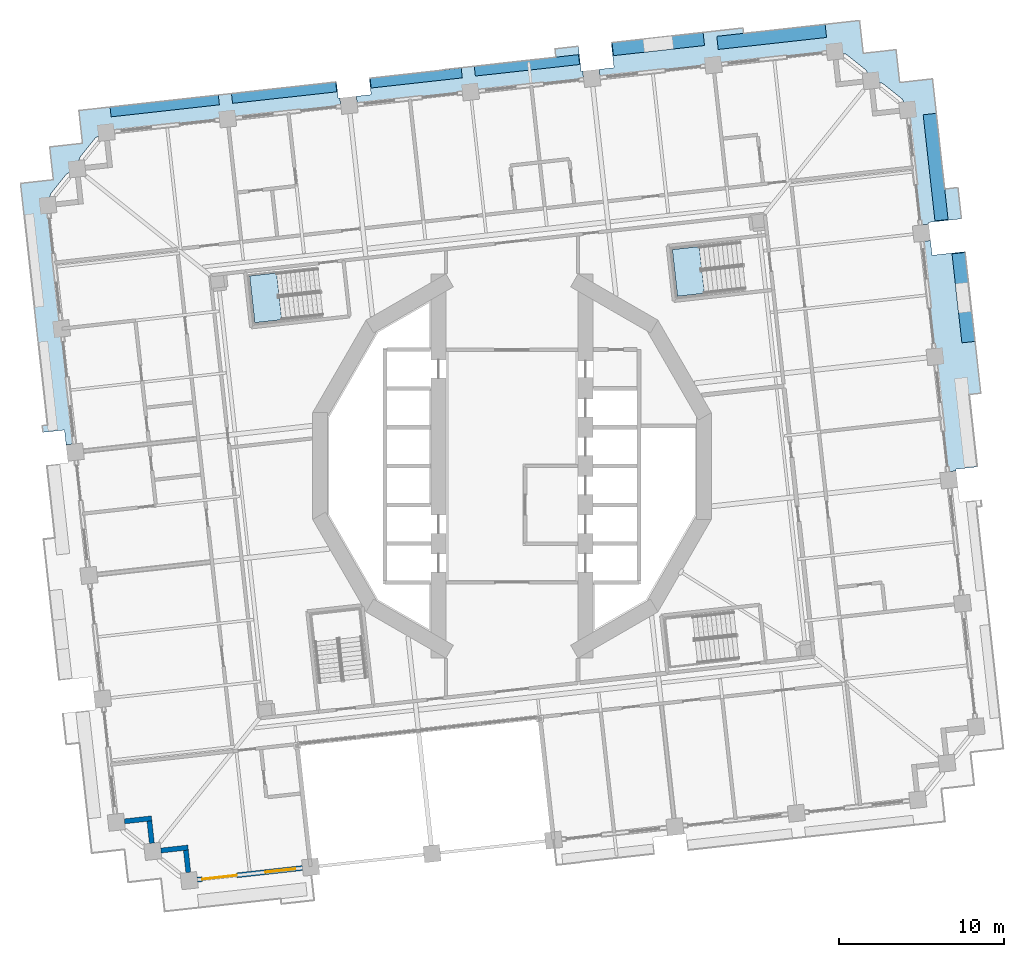
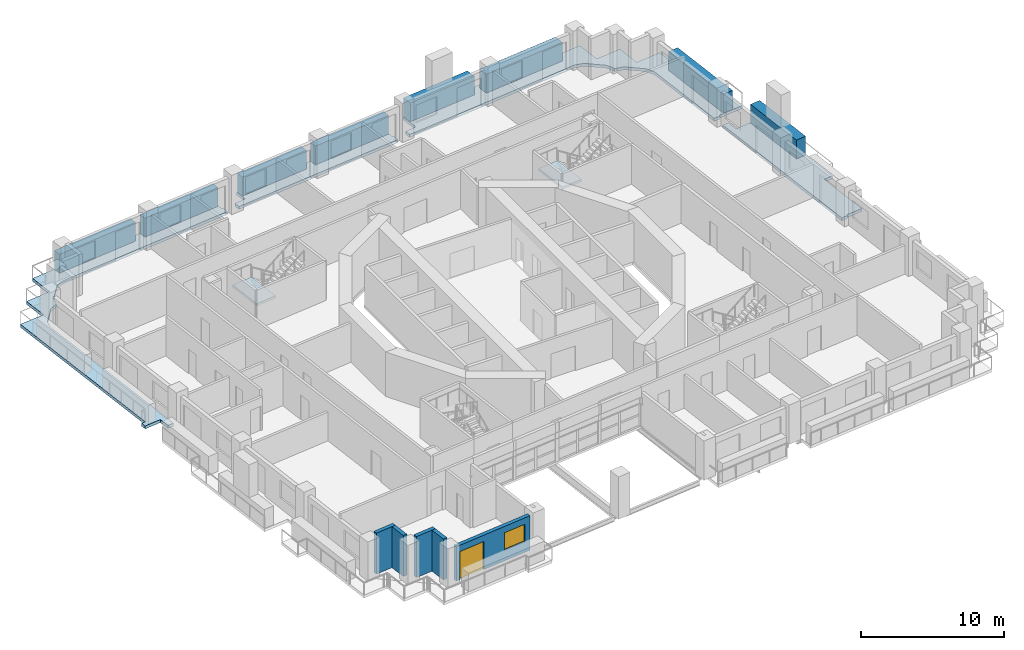
# One storey, part 6 of 21: 8 plates, 6 slabs, 5 walls, 1 door, 1 window, 2 openings, 2 elements without a shape of their own.
"""IFC4 building model written with IfcOpenShell, lengths in metres."""

from ifc_helpers import new_model, si_unit, direction, frame, frame_2d, origin, origin_2d, place, context, subcontext, project, spatial, polyline, rectangle, outline, extrude, material, layer, layer_set, type_object, element, fill, aggregate, save


model = new_model("IFC4")

# Units and contexts
model_context = context("Model", 3, precision=1e-05, world=origin(), true_north=direction((0.0, 1.0)))
body_context = subcontext(model_context, "Body", "Model", "MODEL_VIEW")
ifc_project = project(units=[si_unit("LENGTHUNIT", "METRE"), si_unit("AREAUNIT", "SQUARE_METRE"), si_unit("VOLUMEUNIT", "CUBIC_METRE"), si_unit("PLANEANGLEUNIT", "RADIAN"), si_unit("MASSUNIT", "GRAM", prefix="KILO")], contexts=[model_context])

# Site, building, storey
site_placement = place(None, origin())
site = spatial("IfcSite", under=ifc_project, at=site_placement, CompositionType="ELEMENT")
building_placement = place(site_placement, origin())
building = spatial("IfcBuilding", under=site, at=building_placement, Name="Cantera Rosa Tower", CompositionType="ELEMENT")
storey_placement = place(building_placement, frame((0.0, 0.0, 80.5)))
storey = spatial("IfcBuildingStorey", under=building, at=storey_placement, Name="L17", CompositionType="ELEMENT", Elevation=80.5)

# Slabs
ifc_material_1 = material(Name="Concrete C35/45", Category="concrete")
ifc_layer_1 = layer(ifc_material_1, 0.25)
ifc_layer_set_1 = layer_set([ifc_layer_1], Name="LOGGIA SLAB 250 C35/45")
slab_type_1 = type_object("IfcSlabType", Name="LOGGIA SLAB 250 C35/45", PredefinedType="FLOOR", material=ifc_layer_set_1)
slab_1_placement = place(storey_placement, frame((0.0, 0.0, -0.25)))
element("IfcSlab", 1, at=slab_1_placement, inside=storey, type_object=slab_type_1, Name="LOGGIA SLAB L17 2", PredefinedType="FLOOR", context=body_context, shape_type="SweptSolid", body=[
    extrude(outline(polyline([(-28.60986328125, 6.664794921875), (-28.940673828125, 9.646240234375), (-29.604736328125, 15.629638671875), (-29.770263671875, 17.12060546875), (-28.279296875, 17.285888671875), (-27.782470703125, 17.341064453125), (-27.837646484375, 17.837890625), (-28.003173828125, 19.328857421875), (-26.51220703125, 19.494384765625), (-26.015380859375, 19.549560546875), (-26.070556640625, 20.04638671875), (-26.236083984375, 21.537353515625), (-24.7451171875, 21.702880859375), (-18.881103515625, 22.353515625), (-15.8994140625, 22.6845703125), (-11.5263671875, 23.169921875), (-10.6318359375, 23.269287109375), (-10.521484375, 22.275390625), (-10.422119140625, 22.286376953125), (-10.366943359375, 21.789306640625), (-24.57958984375, 20.2119140625), (-25.166015625, 19.922607421875), (-25.191162109375, 19.9072265625), (-25.214599609375, 19.889404296875), (-25.236083984375, 19.869384765625), (-25.255615234375, 19.84716796875), (-26.139404296875, 18.742919921875), (-26.156494140625, 18.71923828125), (-26.17138671875, 18.693603515625), (-26.18359375, 18.6669921875), (-26.193115234375, 18.63916015625), (-26.3466796875, 18.00341796875), (-26.933349609375, 17.714111328125), (-26.958251953125, 17.69873046875), (-26.981689453125, 17.680908203125), (-27.00341796875, 17.660888671875), (-27.022705078125, 17.638916015625), (-27.906494140625, 16.53466796875), (-27.923583984375, 16.5107421875), (-27.9384765625, 16.4853515625), (-27.95068359375, 16.45849609375), (-27.960205078125, 16.4306640625), (-28.114013671875, 15.795166015625), (-26.510009765625, 1.34375), (-27.007080078125, 1.288818359375), (-27.106201171875, 2.18310546875), (-28.409423828125, 2.03857421875), (-28.454833984375, 2.447265625), (-28.1455078125, 2.481689453125), (-28.60986328125, 6.664794921875)])), origin(), (0.0, 0.0, 1.0), 0.25),
])
slab_2_placement = place(storey_placement, frame((0.0, 0.0, -0.25)))
element("IfcSlab", 2, at=slab_2_placement, inside=storey, type_object=slab_type_1, Name="LOGGIA SLAB L17 4", PredefinedType="FLOOR", context=body_context, shape_type="SweptSolid", body=[
    extrude(outline(polyline([(-4.1953125, 24.005126953125), (2.656005859375, 24.765625), (2.60009765625, 25.269287109375), (4.01953125, 25.4267578125), (4.188232421875, 23.907958984375), (4.28759765625, 23.9189453125), (4.3427734375, 23.422119140625), (-9.373046875, 21.899658203125), (-9.42822265625, 22.396484375), (-8.53369140625, 22.495849609375), (-8.64404296875, 23.48974609375), (-8.544677734375, 23.5009765625), (-4.19287109375, 23.98388671875), (-4.1953125, 24.005126953125)])), origin(), (0.0, 0.0, 1.0), 0.25),
])
slab_3_placement = place(storey_placement, frame((0.0, 0.0, -0.25)))
element("IfcSlab", 3, at=slab_3_placement, inside=storey, type_object=slab_type_1, Name="LOGGIA SLAB L17 6", PredefinedType="FLOOR", context=body_context, shape_type="SweptSolid", body=[
    extrude(outline(polyline([(19.36181640625, 26.79931640625), (21.051513671875, 26.98681640625), (21.239013671875, 25.29736328125), (21.272216796875, 24.999267578125), (21.5703125, 25.0322265625), (23.260009765625, 25.2197265625), (23.447509765625, 23.5302734375), (23.48046875, 23.23193359375), (23.77880859375, 23.26513671875), (25.46826171875, 23.45263671875), (25.65576171875, 21.762939453125), (26.208984375, 16.780029296875), (27.010498046875, 16.869140625), (27.220947265625, 14.97412109375), (25.2265625, 14.752685546875), (25.237548828125, 14.653564453125), (24.740478515625, 14.598388671875), (23.96630859375, 21.575439453125), (23.677001953125, 22.161865234375), (23.66162109375, 22.18701171875), (23.643798828125, 22.21044921875), (23.62353515625, 22.23193359375), (23.6015625, 22.25146484375), (22.497314453125, 23.135009765625), (22.473388671875, 23.15234375), (22.447998046875, 23.1669921875), (22.42138671875, 23.179443359375), (22.393310546875, 23.18896484375), (21.7578125, 23.342529296875), (21.468505859375, 23.92919921875), (21.453125, 23.9541015625), (21.435302734375, 23.9775390625), (21.415283203125, 23.999267578125), (21.39306640625, 24.018798828125), (20.288818359375, 24.902099609375), (20.26513671875, 24.91943359375), (20.239501953125, 24.934326171875), (20.212890625, 24.946533203125), (20.18505859375, 24.9560546875), (19.54931640625, 25.10986328125), (18.642578125, 25.00927734375), (5.336669921875, 23.5322265625), (5.281494140625, 24.029296875), (6.176025390625, 24.12841796875), (6.00732421875, 25.6474609375), (13.98681640625, 26.533203125), (14.02294921875, 26.206787109375), (19.36181640625, 26.79931640625)])), origin(), (0.0, 0.0, 1.0), 0.25),
])
slab_4_placement = place(storey_placement, frame((0.0, 0.0, -0.25)))
element("IfcSlab", 4, at=slab_4_placement, inside=storey, type_object=slab_type_1, Name="LOGGIA SLAB L17 8", PredefinedType="FLOOR", context=body_context, shape_type="SweptSolid", body=[
    extrude(outline(polyline([(28.18896484375, -0.05078125), (26.885498046875, -0.1953125), (26.896728515625, -0.294921875), (26.399658203125, -0.349853515625), (24.850830078125, 13.6044921875), (25.347900390625, 13.65966796875), (25.447265625, 12.764892578125), (27.44140625, 12.986328125), (28.39306640625, 4.41259765625), (27.701904296875, 4.335693359375), (28.18896484375, -0.05078125)])), origin(), (0.0, 0.0, 1.0), 0.25),
])

# Plates
ifc_material_2 = material(Name="Cantera stone planter with soil", Category="masonry")
plate_type_1 = type_object("IfcPlateType", Name="PLANTER 600", PredefinedType="USERDEFINED", material=ifc_material_2)
plate_1_placement = place(storey_placement, frame((0.9033203125, 24.269287109375, 0.0), z_axis=(0.0, 0.0, 1.0), x_axis=(-0.993896946415, -0.110312555526, 0.0)))
element("IfcPlate", 5, at=plate_1_placement, inside=storey, type_object=plate_type_1, Name="PLANTER L17-08", ObjectType="PLANTER", PredefinedType="USERDEFINED", context=body_context, shape_type="SweptSolid", body=[
    extrude(rectangle(XDim=6.35009765625, YDim=0.60009765625, at=origin_2d()), origin(), (0.0, 0.0, 1.0), 1.60009765625),
])
plate_2_placement = place(storey_placement, frame((-5.80322265625, 23.503173828125, 0.0), z_axis=(0.0, 0.0, 1.0), x_axis=(-0.993896946415, -0.110312555526, 0.0)))
element("IfcPlate", 6, at=plate_2_placement, inside=storey, type_object=plate_type_1, Name="PLANTER L17-09", ObjectType="PLANTER", PredefinedType="USERDEFINED", context=body_context, shape_type="SweptSolid", body=[
    extrude(rectangle(XDim=5.550048828125, YDim=0.60009765625, at=origin_2d()), origin(), (0.0, 0.0, 1.0), 1.60009765625),
])
plate_3_placement = place(storey_placement, frame((-13.803955078125, 22.615234375, 0.0), z_axis=(0.0, 0.0, 1.0), x_axis=(-0.993896946415, -0.110312555526, 0.0)))
element("IfcPlate", 7, at=plate_3_placement, inside=storey, type_object=plate_type_1, Name="PLANTER L17-10", ObjectType="PLANTER", PredefinedType="USERDEFINED", context=body_context, shape_type="SweptSolid", body=[
    extrude(rectangle(XDim=6.35009765625, YDim=0.60009765625, at=origin_2d()), origin(), (0.0, 0.0, 1.0), 1.60009765625),
])
plate_4_placement = place(storey_placement, frame((-21.03466796875, 21.812744140625, 0.0), z_axis=(0.0, 0.0, 1.0), x_axis=(-0.993896946415, -0.110312555526, 0.0)))
element("IfcPlate", 8, at=plate_4_placement, inside=storey, type_object=plate_type_1, Name="PLANTER L17-11", ObjectType="PLANTER", PredefinedType="USERDEFINED", context=body_context, shape_type="SweptSolid", body=[
    extrude(rectangle(XDim=6.60009765625, YDim=0.60009765625, at=origin_2d()), origin(), (0.0, 0.0, 1.0), 1.60009765625),
])
ifc_material_3 = material(Name="Cantera stone planter with soil", Category="masonry")
plate_type_2 = type_object("IfcPlateType", Name="PLANTER 800", PredefinedType="USERDEFINED", material=ifc_material_3)
plate_5_placement = place(storey_placement, frame((27.348388671875, 10.19921875, 0.0), z_axis=(0.0, 0.0, 1.0), x_axis=(-0.110312555526, 0.993896946415, 0.0)))
element("IfcPlate", 9, at=plate_5_placement, inside=storey, type_object=plate_type_2, Name="PLANTER L17-04", ObjectType="PLANTER", PredefinedType="USERDEFINED", context=body_context, shape_type="SweptSolid", body=[
    extrude(rectangle(XDim=5.419921875, YDim=0.800048828125, at=origin_2d()), origin(), (0.0, 0.0, 1.0), 1.60009765625),
])
plate_6_placement = place(storey_placement, frame((25.6591796875, 18.10595703125, 0.0), z_axis=(0.0, 0.0, 1.0), x_axis=(-0.110312555526, 0.993896946415, 0.0)))
element("IfcPlate", 10, at=plate_6_placement, inside=storey, type_object=plate_type_2, Name="PLANTER L17-05", ObjectType="PLANTER", PredefinedType="USERDEFINED", context=body_context, shape_type="SweptSolid", body=[
    extrude(rectangle(XDim=6.469970703125, YDim=0.800048828125, at=origin_2d()), origin(), (0.0, 0.0, 1.0), 1.60009765625),
])
plate_7_placement = place(storey_placement, frame((15.728515625, 25.99365234375, 0.0), z_axis=(0.0, 0.0, 1.0), x_axis=(-0.993896946415, -0.110312555526, 0.0)))
element("IfcPlate", 11, at=plate_7_placement, inside=storey, type_object=plate_type_2, Name="PLANTER L17-06", ObjectType="PLANTER", PredefinedType="USERDEFINED", context=body_context, shape_type="SweptSolid", body=[
    extrude(rectangle(XDim=6.60009765625, YDim=0.800048828125, at=origin_2d()), origin(), (0.0, 0.0, 1.0), 1.60009765625),
])
plate_8_placement = place(storey_placement, frame((8.859375, 25.5615234375, 0.0), z_axis=(0.0, 0.0, 1.0), x_axis=(-0.993896946415, -0.110312555526, 0.0)))
element("IfcPlate", 12, at=plate_8_placement, inside=storey, type_object=plate_type_2, Name="PLANTER L17-07", ObjectType="PLANTER", PredefinedType="USERDEFINED", context=body_context, shape_type="SweptSolid", body=[
    extrude(rectangle(XDim=5.550048828125, YDim=0.800048828125, at=origin_2d()), origin(), (0.0, 0.0, 1.0), 1.60009765625),
])

# Stair, slab
ifc_material_4 = material(Name="Concrete C35/45", Category="concrete")
stair_type = type_object("IfcStairType", Name="EXIT STAIR 1350 DOGLEG", PredefinedType="HALF_TURN_STAIR", material=ifc_material_4)
stair_1_placement = place(storey_placement, origin())
stair_1 = element("IfcStair", 13, at=stair_1_placement, inside=storey, type_object=stair_type, Name="L17 ST-11", PredefinedType="HALF_TURN_STAIR")
ifc_material_5 = material(Name="Concrete C35/45", Category="concrete")
ifc_layer_2 = layer(ifc_material_5, 0.199951171875)
ifc_layer_set_2 = layer_set([ifc_layer_2], Name="STAIR LANDING 200")
slab_type_2 = type_object("IfcSlabType", Name="STAIR LANDING 200", PredefinedType="LANDING", material=ifc_layer_set_2)
slab_5_placement = place(storey_placement, frame((0.0, 0.0, 1.699951171875)))
slab_5 = element("IfcSlab", 14, at=slab_5_placement, type_object=slab_type_2, Name="ST-11 landing 1", PredefinedType="LANDING", context=body_context, shape_type="SweptSolid", body=[
    extrude(outline(polyline([(11.341552734375, 13.294189453125), (9.70947265625, 13.113037109375), (10.02392578125, 10.2802734375), (11.656005859375, 10.46142578125), (11.341552734375, 13.294189453125)])), origin(), (0.0, 0.0, 1.0), 0.199951171875),
])
aggregate(stair_1, [slab_5])

stair_2_placement = place(storey_placement, origin())
stair_2 = element("IfcStair", 15, at=stair_2_placement, inside=storey, type_object=stair_type, Name="L17 ST-12", PredefinedType="HALF_TURN_STAIR")
slab_6_placement = place(storey_placement, frame((0.0, 0.0, 1.699951171875)))
slab_6 = element("IfcSlab", 16, at=slab_6_placement, type_object=slab_type_2, Name="ST-12 landing 1", PredefinedType="LANDING", context=body_context, shape_type="SweptSolid", body=[
    extrude(outline(polyline([(-14.258544921875, 11.694091796875), (-15.890380859375, 11.512939453125), (-15.575927734375, 8.680419921875), (-13.944091796875, 8.861572265625), (-14.258544921875, 11.694091796875)])), origin(), (0.0, 0.0, 1.0), 0.199951171875),
])
aggregate(stair_2, [slab_6])

# Walls
ifc_material_6 = material(Name="Hollow clay masonry with cantera stone cladding", Category="masonry")
ifc_layer_3 = layer(ifc_material_6, 0.300048828125)
ifc_layer_set_3 = layer_set([ifc_layer_3], Name="EW-LOGGIA 300")
wall_type_1 = type_object("IfcWallType", Name="EW-LOGGIA 300", PredefinedType="SOLIDWALL", material=ifc_layer_set_3)
wall_1_placement = place(storey_placement, frame((-23.46923828125, -21.520263671875, 0.0), z_axis=(0.0, 0.0, 1.0), x_axis=(0.993905369514, 0.110236638423, 0.0)))
element("IfcWall", 17, at=wall_1_placement, inside=storey, type_object=wall_type_1, Name="EN-L17-W21a", PredefinedType="SOLIDWALL", context=body_context, shape_type="SweptSolid", body=[
    extrude(rectangle(XDim=1.64990234375, YDim=0.300048828125, at=frame_2d((0.824951171875, 0.0))), origin(), (0.0, 0.0, 1.0), 3.5),
])
wall_2_placement = place(storey_placement, frame((-21.9619140625, -21.50390625, 0.0), z_axis=(0.0, 0.0, 1.0), x_axis=(0.110312435488, -0.993896959738, 0.0)))
element("IfcWall", 18, at=wall_2_placement, inside=storey, type_object=wall_type_1, Name="EN-L17-W21b", PredefinedType="SOLIDWALL", context=body_context, shape_type="SweptSolid", body=[
    extrude(rectangle(XDim=1.35009765625, YDim=0.300048828125, at=frame_2d((0.675048828125, 0.0))), origin(), (0.0, 0.0, 1.0), 3.5),
])
wall_3_placement = place(storey_placement, frame((-21.2607421875, -23.287353515625, 0.0), z_axis=(0.0, 0.0, 1.0), x_axis=(0.993905369514, 0.110236638423, 0.0)))
element("IfcWall", 19, at=wall_3_placement, inside=storey, type_object=wall_type_1, Name="EN-L17-W22a", PredefinedType="SOLIDWALL", context=body_context, shape_type="SweptSolid", body=[
    extrude(rectangle(XDim=1.64990234375, YDim=0.300048828125, at=frame_2d((0.824951171875, 0.0))), origin(), (0.0, 0.0, 1.0), 3.5),
])
wall_4_placement = place(storey_placement, frame((-19.75341796875, -23.27099609375, 0.0), z_axis=(0.0, 0.0, 1.0), x_axis=(0.110312435488, -0.993896959738, 0.0)))
element("IfcWall", 20, at=wall_4_placement, inside=storey, type_object=wall_type_1, Name="EN-L17-W22b", PredefinedType="SOLIDWALL", context=body_context, shape_type="SweptSolid", body=[
    extrude(rectangle(XDim=1.35009765625, YDim=0.300048828125, at=frame_2d((0.675048828125, 0.0))), origin(), (0.0, 0.0, 1.0), 3.5),
])

# Wall, openings, window, door
ifc_material_7 = material(Name="Hollow clay masonry with cantera stone cladding", Category="masonry")
ifc_layer_4 = layer(ifc_material_7, 0.300048828125)
ifc_layer_set_4 = layer_set([ifc_layer_4], Name="EW-LOGGIA 300 H2940")
wall_type_2 = type_object("IfcWallType", Name="EW-LOGGIA 300 H2940", PredefinedType="SOLIDWALL", material=ifc_layer_set_4)
wall_5_placement = place(storey_placement, frame((-19.052490234375, -25.0546875, 0.0), z_axis=(0.0, 0.0, 1.0), x_axis=(0.993896288542, 0.110318482689, 0.0)))
wall_5 = element("IfcWall", 21, at=wall_5_placement, inside=storey, type_object=wall_type_2, Name="EN-L17-W23", PredefinedType="SOLIDWALL", context=body_context, shape_type="SweptSolid", body=[
    extrude(rectangle(XDim=6.400146484375, YDim=0.300048828125, at=frame_2d((3.2001953125, 0.0))), origin(), (0.0, 0.0, 1.0), 2.93994140625),
])
opening_1_placement = place(wall_5_placement, frame((0.300048828125, 0.0, 0.0)))
opening_1 = element("IfcOpeningElement", 22, at=opening_1_placement, cuts=wall_5, Name="Opening L17-TD33", PredefinedType="OPENING", context=body_context, shape_type="SweptSolid", body=[
    extrude(rectangle(XDim=2.10009765625, YDim=2.39990234375, at=frame_2d((1.050048828125, 1.199951171875))), frame((0.0, 0.159912109375, 0.0), z_axis=(0.0, -1.0, 0.0), x_axis=(1.0, 0.0, 0.0)), (0.0, 0.0, 1.0), 0.320068359375),
])
opening_2_placement = place(wall_5_placement, frame((4.14990234375, 0.0, 0.89990234375)))
opening_2 = element("IfcOpeningElement", 23, at=opening_2_placement, cuts=wall_5, Name="Opening L17-W34", PredefinedType="OPENING", context=body_context, shape_type="SweptSolid", body=[
    extrude(rectangle(XDim=1.800048828125, YDim=1.5, at=frame_2d((0.89990234375, 0.75))), frame((0.0, 0.159912109375, 0.0), z_axis=(0.0, -1.0, 0.0), x_axis=(1.0, 0.0, 0.0)), (0.0, 0.0, 1.0), 0.320068359375),
])
ifc_material_8 = material(Name="Aluminium frame with clear glass", Category="aluminium")
window_type = type_object("IfcWindowType", Name="Hotel room window 1800x1500", PartitioningType="DOUBLE_PANEL_VERTICAL", PredefinedType="WINDOW", material=ifc_material_8)
window_placement = place(opening_2_placement, origin())
window = element("IfcWindow", 24, at=window_placement, inside=storey, type_object=window_type, Name="WINDOW L17-W34", OverallHeight=1.5, OverallWidth=1.800048828125, PartitioningType="SINGLE_PANEL", PredefinedType="WINDOW", context=body_context, shape_type="SweptSolid", body=[
    extrude(rectangle(XDim=1.800048828125, YDim=1.5, at=frame_2d((0.89990234375, 0.75))), frame((0.0, 0.030029296875, 0.0), z_axis=(0.0, -1.0, 0.0), x_axis=(1.0, 0.0, 0.0)), (0.0, 0.0, 1.0), 0.06005859375),
])
fill(opening_2, window)
ifc_material_9 = material(Name="Aluminium frame with clear glass", Category="aluminium")
door_type = type_object("IfcDoorType", Name="TD-H 2100x2400", OperationType="NOTDEFINED", PredefinedType="DOOR", material=ifc_material_9)
door_placement = place(opening_1_placement, origin())
door = element("IfcDoor", 25, at=door_placement, inside=storey, type_object=door_type, Name="LOGGIA DOOR L17-TD33", OperationType="SLIDING_TO_LEFT", OverallHeight=2.39990234375, OverallWidth=2.10009765625, PredefinedType="DOOR", context=body_context, shape_type="SweptSolid", body=[
    extrude(rectangle(XDim=2.10009765625, YDim=2.39990234375, at=frame_2d((1.050048828125, 1.199951171875))), frame((0.0, 0.02490234375, 0.0), z_axis=(0.0, -1.0, 0.0), x_axis=(1.0, 0.0, 0.0)), (0.0, 0.0, 1.0), 0.050048828125),
])
fill(opening_1, door)

save(model, "model.ifc")
